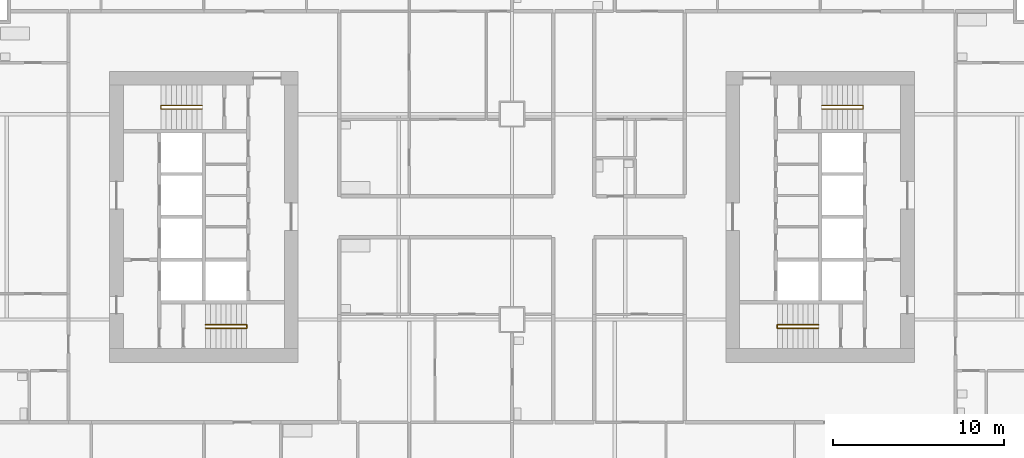
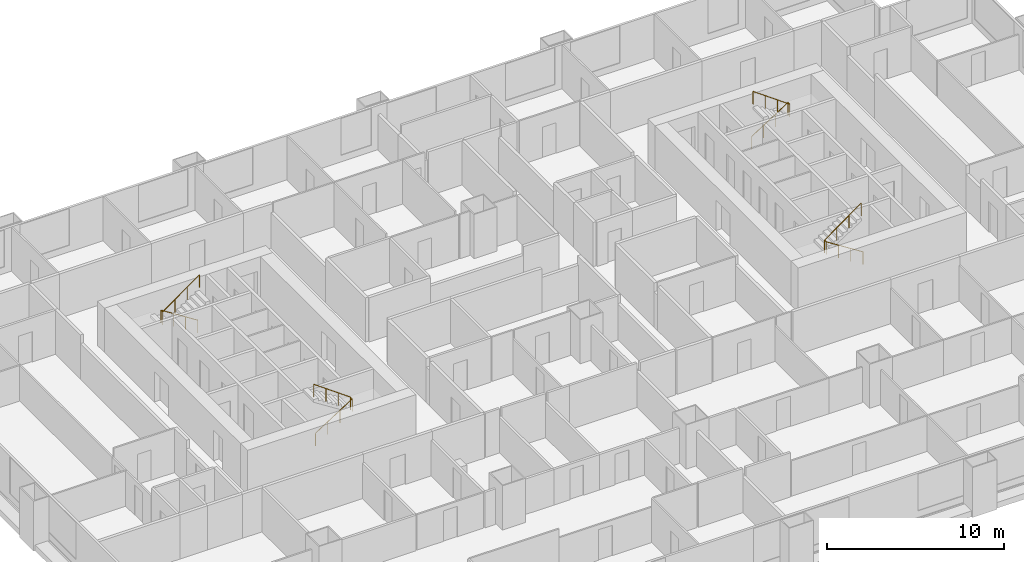
# One storey, part 12 of 13: 4 railings.
"""IFC4 building model written with IfcOpenShell, lengths in metres."""

from ifc_helpers import new_model, si_unit, direction, frame, origin, origin_2d, place, context, subcontext, project, spatial, circle, extrude, material, type_object, element, save


model = new_model("IFC4")

# Units and contexts
model_context = context("Model", 3, precision=1e-05, world=origin(), true_north=direction((0.0, 1.0)))
body_context = subcontext(model_context, "Body", "Model", "MODEL_VIEW")
ifc_project = project(units=[si_unit("LENGTHUNIT", "METRE"), si_unit("AREAUNIT", "SQUARE_METRE"), si_unit("VOLUMEUNIT", "CUBIC_METRE"), si_unit("PLANEANGLEUNIT", "RADIAN"), si_unit("MASSUNIT", "GRAM", prefix="KILO")], contexts=[model_context])

# Site, building, storey
site_placement = place(None, origin())
site = spatial("IfcSite", under=ifc_project, at=site_placement, CompositionType="ELEMENT")
building_placement = place(site_placement, origin())
building = spatial("IfcBuilding", under=site, at=building_placement, Name="Kitamizu Gate Tower and Museum", CompositionType="ELEMENT")
storey_placement = place(building_placement, frame((0.0, 0.0, 78.300048828125)))
storey = spatial("IfcBuildingStorey", under=building, at=storey_placement, Name="L19", CompositionType="ELEMENT", Elevation=78.300048828125)

# Railings
ifc_material = material(Name="Stainless steel SUS304", Category="steel")
railing_type = type_object("IfcRailingType", Name="Stair handrail 900", PredefinedType="HANDRAIL", material=ifc_material)
railing_1_placement = place(storey_placement, frame((18.10009765625, 23.5, 0.191650390625)))
element("IfcRailing", 1, at=railing_1_placement, inside=storey, type_object=railing_type, Name="Stair handrail ST1", PredefinedType="HANDRAIL", context=body_context, shape_type="SweptSolid", body=[
    extrude(circle(Radius=0.02392578125, at=origin_2d()), frame((0.0, 0.0, 0.8759765625), z_axis=(0.84270706373, 0.0, 0.538372366248), x_axis=(0.0, 1.0, 0.0)), (0.0, 0.0, 1.0), 2.847900390625),
    extrude(circle(Radius=0.02392578125, at=origin_2d()), frame((2.39990234375, 0.0, 2.4091796875), z_axis=(0.0, 1.0, 0.0), x_axis=(-1.0, 0.0, 0.0)), (0.0, 0.0, 1.0), 0.199951171875),
    extrude(circle(Radius=0.02392578125, at=origin_2d()), frame((2.39990234375, 0.199951171875, 2.4091796875), z_axis=(-0.811988456656, 0.0, 0.583673492852), x_axis=(0.0, -1.0, 0.0)), (0.0, 0.0, 1.0), 2.95556640625),
    extrude(circle(Radius=0.02099609375, at=origin_2d()), origin(), (0.0, 0.0, 1.0), 0.851806640625),
    extrude(circle(Radius=0.02099609375, at=origin_2d()), frame((0.800048828125, 0.0, 0.510986328125)), (0.0, 0.0, 1.0), 0.851806640625),
    extrude(circle(Radius=0.02099609375, at=origin_2d()), frame((1.599853515625, 0.0, 1.022216796875)), (0.0, 0.0, 1.0), 0.851806640625),
    extrude(circle(Radius=0.02099609375, at=origin_2d()), frame((2.39990234375, 0.0, 1.533203125)), (0.0, 0.0, 1.0), 0.851806640625),
    extrude(circle(Radius=0.02099609375, at=origin_2d()), frame((2.39990234375, 0.199951171875, 1.533203125)), (0.0, 0.0, 1.0), 0.851806640625),
    extrude(circle(Radius=0.02099609375, at=origin_2d()), frame((1.599853515625, 0.199951171875, 2.108154296875)), (0.0, 0.0, 1.0), 0.851806640625),
    extrude(circle(Radius=0.02099609375, at=origin_2d()), frame((0.800048828125, 0.199951171875, 2.683349609375)), (0.0, 0.0, 1.0), 0.851806640625),
    extrude(circle(Radius=0.02099609375, at=origin_2d()), frame((0.0, 0.199951171875, 3.25830078125)), (0.0, 0.0, 1.0), 0.851806640625),
])
railing_2_placement = place(storey_placement, frame((17.89990234375, 36.5, 0.191650390625)))
element("IfcRailing", 2, at=railing_2_placement, inside=storey, type_object=railing_type, Name="Stair handrail ST2", PredefinedType="HANDRAIL", context=body_context, shape_type="SweptSolid", body=[
    extrude(circle(Radius=0.02392578125, at=origin_2d()), frame((0.0, 0.0, 0.8759765625), z_axis=(-0.84270706373, 0.0, 0.538372366248), x_axis=(0.0, -1.0, 0.0)), (0.0, 0.0, 1.0), 2.847900390625),
    extrude(circle(Radius=0.02392578125, at=origin_2d()), frame((-2.39990234375, 0.0, 2.4091796875), z_axis=(0.0, -1.0, 0.0), x_axis=(1.0, 0.0, 0.0)), (0.0, 0.0, 1.0), 0.199951171875),
    extrude(circle(Radius=0.02392578125, at=origin_2d()), frame((-2.39990234375, -0.199951171875, 2.4091796875), z_axis=(0.811988456656, 0.0, 0.583673492852), x_axis=(0.0, 1.0, 0.0)), (0.0, 0.0, 1.0), 2.95556640625),
    extrude(circle(Radius=0.02099609375, at=origin_2d()), origin(), (0.0, 0.0, 1.0), 0.851806640625),
    extrude(circle(Radius=0.02099609375, at=origin_2d()), frame((-0.800048828125, 0.0, 0.510986328125)), (0.0, 0.0, 1.0), 0.851806640625),
    extrude(circle(Radius=0.02099609375, at=origin_2d()), frame((-1.599853515625, 0.0, 1.022216796875)), (0.0, 0.0, 1.0), 0.851806640625),
    extrude(circle(Radius=0.02099609375, at=origin_2d()), frame((-2.39990234375, 0.0, 1.533203125)), (0.0, 0.0, 1.0), 0.851806640625),
    extrude(circle(Radius=0.02099609375, at=origin_2d()), frame((-2.39990234375, -0.199951171875, 1.533203125)), (0.0, 0.0, 1.0), 0.851806640625),
    extrude(circle(Radius=0.02099609375, at=origin_2d()), frame((-1.599853515625, -0.199951171875, 2.108154296875)), (0.0, 0.0, 1.0), 0.851806640625),
    extrude(circle(Radius=0.02099609375, at=origin_2d()), frame((-0.800048828125, -0.199951171875, 2.683349609375)), (0.0, 0.0, 1.0), 0.851806640625),
    extrude(circle(Radius=0.02099609375, at=origin_2d()), frame((0.0, -0.199951171875, 3.25830078125)), (0.0, 0.0, 1.0), 0.851806640625),
])
railing_3_placement = place(storey_placement, frame((53.89990234375, 23.5, 0.191650390625)))
element("IfcRailing", 3, at=railing_3_placement, inside=storey, type_object=railing_type, Name="Stair handrail ST3", PredefinedType="HANDRAIL", context=body_context, shape_type="SweptSolid", body=[
    extrude(circle(Radius=0.02392578125, at=origin_2d()), frame((0.0, 0.0, 0.8759765625), z_axis=(-0.84270706373, 0.0, 0.538372366248), x_axis=(0.0, -1.0, 0.0)), (0.0, 0.0, 1.0), 2.847900390625),
    extrude(circle(Radius=0.02392578125, at=origin_2d()), frame((-2.39990234375, 0.0, 2.4091796875), z_axis=(0.0, 1.0, 0.0), x_axis=(-1.0, 0.0, 0.0)), (0.0, 0.0, 1.0), 0.199951171875),
    extrude(circle(Radius=0.02392578125, at=origin_2d()), frame((-2.39990234375, 0.199951171875, 2.4091796875), z_axis=(0.811988456656, 0.0, 0.583673492852), x_axis=(0.0, 1.0, 0.0)), (0.0, 0.0, 1.0), 2.95556640625),
    extrude(circle(Radius=0.02099609375, at=origin_2d()), origin(), (0.0, 0.0, 1.0), 0.851806640625),
    extrude(circle(Radius=0.02099609375, at=origin_2d()), frame((-0.800048828125, 0.0, 0.510986328125)), (0.0, 0.0, 1.0), 0.851806640625),
    extrude(circle(Radius=0.02099609375, at=origin_2d()), frame((-1.599853515625, 0.0, 1.022216796875)), (0.0, 0.0, 1.0), 0.851806640625),
    extrude(circle(Radius=0.02099609375, at=origin_2d()), frame((-2.39990234375, 0.0, 1.533203125)), (0.0, 0.0, 1.0), 0.851806640625),
    extrude(circle(Radius=0.02099609375, at=origin_2d()), frame((-2.39990234375, 0.199951171875, 1.533203125)), (0.0, 0.0, 1.0), 0.851806640625),
    extrude(circle(Radius=0.02099609375, at=origin_2d()), frame((-1.599853515625, 0.199951171875, 2.108154296875)), (0.0, 0.0, 1.0), 0.851806640625),
    extrude(circle(Radius=0.02099609375, at=origin_2d()), frame((-0.800048828125, 0.199951171875, 2.683349609375)), (0.0, 0.0, 1.0), 0.851806640625),
    extrude(circle(Radius=0.02099609375, at=origin_2d()), frame((0.0, 0.199951171875, 3.25830078125)), (0.0, 0.0, 1.0), 0.851806640625),
])
railing_4_placement = place(storey_placement, frame((54.10009765625, 36.5, 0.191650390625)))
element("IfcRailing", 4, at=railing_4_placement, inside=storey, type_object=railing_type, Name="Stair handrail ST4", PredefinedType="HANDRAIL", context=body_context, shape_type="SweptSolid", body=[
    extrude(circle(Radius=0.02392578125, at=origin_2d()), frame((0.0, 0.0, 0.8759765625), z_axis=(0.84270706373, 0.0, 0.538372366248), x_axis=(0.0, 1.0, 0.0)), (0.0, 0.0, 1.0), 2.847900390625),
    extrude(circle(Radius=0.02392578125, at=origin_2d()), frame((2.39990234375, 0.0, 2.4091796875), z_axis=(0.0, -1.0, 0.0), x_axis=(1.0, 0.0, 0.0)), (0.0, 0.0, 1.0), 0.199951171875),
    extrude(circle(Radius=0.02392578125, at=origin_2d()), frame((2.39990234375, -0.199951171875, 2.4091796875), z_axis=(-0.811988456656, 0.0, 0.583673492852), x_axis=(0.0, -1.0, 0.0)), (0.0, 0.0, 1.0), 2.95556640625),
    extrude(circle(Radius=0.02099609375, at=origin_2d()), origin(), (0.0, 0.0, 1.0), 0.851806640625),
    extrude(circle(Radius=0.02099609375, at=origin_2d()), frame((0.800048828125, 0.0, 0.510986328125)), (0.0, 0.0, 1.0), 0.851806640625),
    extrude(circle(Radius=0.02099609375, at=origin_2d()), frame((1.599853515625, 0.0, 1.022216796875)), (0.0, 0.0, 1.0), 0.851806640625),
    extrude(circle(Radius=0.02099609375, at=origin_2d()), frame((2.39990234375, 0.0, 1.533203125)), (0.0, 0.0, 1.0), 0.851806640625),
    extrude(circle(Radius=0.02099609375, at=origin_2d()), frame((2.39990234375, -0.199951171875, 1.533203125)), (0.0, 0.0, 1.0), 0.851806640625),
    extrude(circle(Radius=0.02099609375, at=origin_2d()), frame((1.599853515625, -0.199951171875, 2.108154296875)), (0.0, 0.0, 1.0), 0.851806640625),
    extrude(circle(Radius=0.02099609375, at=origin_2d()), frame((0.800048828125, -0.199951171875, 2.683349609375)), (0.0, 0.0, 1.0), 0.851806640625),
    extrude(circle(Radius=0.02099609375, at=origin_2d()), frame((0.0, -0.199951171875, 3.25830078125)), (0.0, 0.0, 1.0), 0.851806640625),
])

save(model, "model.ifc")
